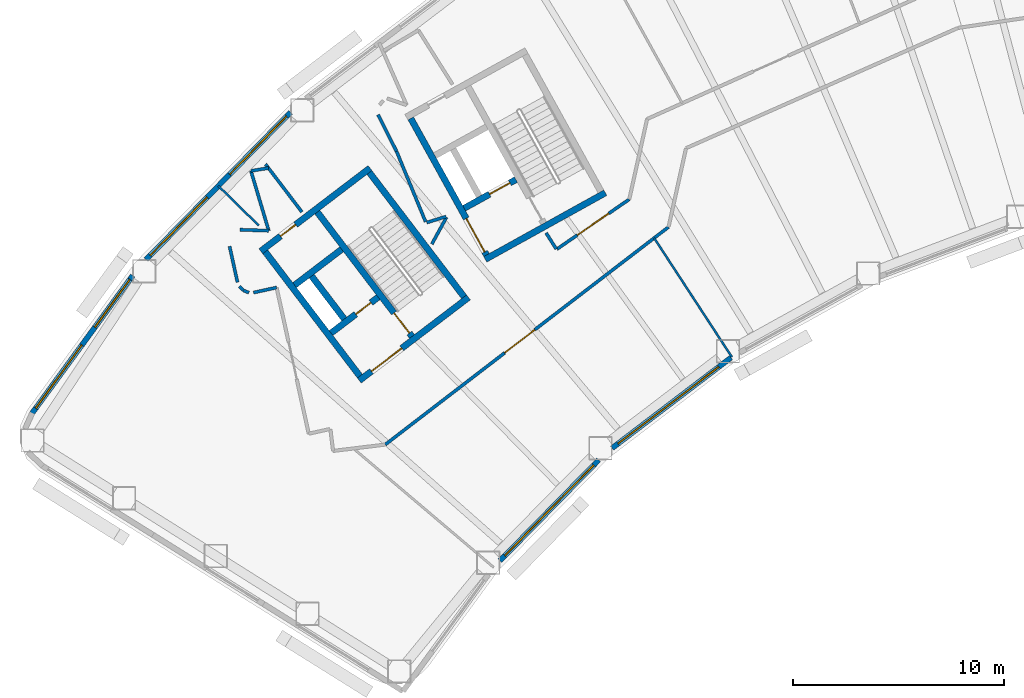
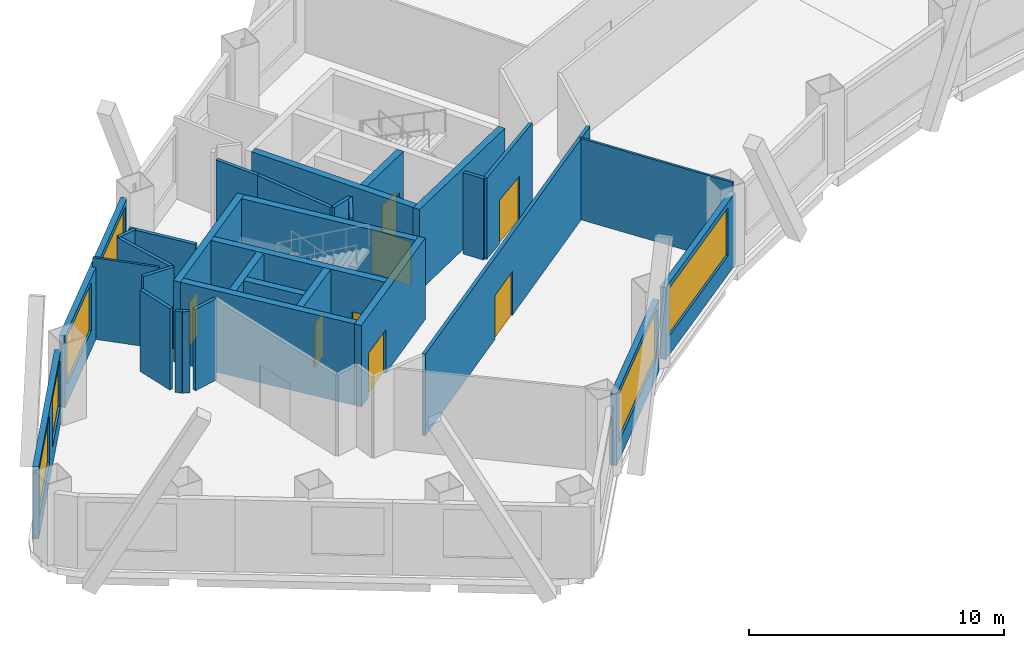
# One storey, part 3 of 11: 32 walls, 8 doors, 6 windows, 14 openings.
"""IFC4 building model written with IfcOpenShell, lengths in metres."""

from ifc_helpers import new_model, si_unit, direction, frame, frame_2d, origin, place, context, subcontext, project, spatial, rectangle, extrude, material, layer, layer_set, type_object, element, fill, save


model = new_model("IFC4")

# Units and contexts
model_context = context("Model", 3, precision=1e-05, world=origin(), true_north=direction((0.0, 1.0)))
body_context = subcontext(model_context, "Body", "Model", "MODEL_VIEW")
ifc_project = project(units=[si_unit("LENGTHUNIT", "METRE"), si_unit("AREAUNIT", "SQUARE_METRE"), si_unit("VOLUMEUNIT", "CUBIC_METRE"), si_unit("PLANEANGLEUNIT", "RADIAN"), si_unit("MASSUNIT", "GRAM", prefix="KILO")], contexts=[model_context])

# Site, building, storey
site_placement = place(None, origin())
site = spatial("IfcSite", under=ifc_project, at=site_placement, CompositionType="ELEMENT")
building_placement = place(site_placement, origin())
building = spatial("IfcBuilding", under=site, at=building_placement, Name="Tuul Gate Civic Tower", CompositionType="ELEMENT")
storey_placement = place(building_placement, frame((0.0, 0.0, 116.10009765625)))
storey = spatial("IfcBuildingStorey", under=building, at=storey_placement, Name="Level 26", CompositionType="ELEMENT", Elevation=116.10009765625)

# Wall, opening, door
ifc_material_1 = material(Name="Concrete C50/60", Category="concrete")
ifc_layer_1 = layer(ifc_material_1, 0.300048828125)
ifc_layer_set_1 = layer_set([ifc_layer_1], Name="Concrete C50/60")
wall_type_1 = type_object("IfcWallType", Name="Core wall C50/60", PredefinedType="SHEAR", material=ifc_layer_set_1)
wall_1_placement = place(storey_placement, frame((-31.19091796875, -13.669677734375, 0.0), z_axis=(0.0, 0.0, 1.0), x_axis=(-0.795606717756, -0.605813461934, 0.0)))
wall_1 = element("IfcWall", 1, at=wall_1_placement, inside=storey, type_object=wall_type_1, Name="Core wall", PredefinedType="SHEAR", context=body_context, shape_type="SweptSolid", body=[
    extrude(rectangle(XDim=6.5, YDim=0.300048828125, at=frame_2d((3.25, 0.0))), origin(), (0.0, 0.0, 1.0), 3.89990234375),
])
opening_1_placement = place(wall_1_placement, frame((3.97509765625, 0.0, 0.0)))
opening_1 = element("IfcOpeningElement", 2, at=opening_1_placement, cuts=wall_1, Name="Opening LB-W1-LOBBY-1", PredefinedType="OPENING", context=body_context, shape_type="SweptSolid", body=[
    extrude(rectangle(XDim=1.800048828125, YDim=2.10009765625, at=frame_2d((0.89990234375, 1.050048828125))), frame((0.0, 0.16015625, 0.0), z_axis=(0.0, -1.0, 0.0), x_axis=(1.0, 0.0, 0.0)), (0.0, 0.0, 1.0), 0.320068359375),
])
ifc_material_2 = material(Name="Steel", Category="steel")
door_type_1 = type_object("IfcDoorType", Name="Lobby door", OperationType="DOUBLE_DOOR_SINGLE_SWING", PredefinedType="DOOR", material=ifc_material_2)
door_1_placement = place(opening_1_placement, origin())
door_1 = element("IfcDoor", 3, at=door_1_placement, inside=storey, type_object=door_type_1, Name="Lobby door W1-LOBBY", OperationType="DOUBLE_DOOR_SINGLE_SWING", OverallHeight=2.10009765625, OverallWidth=1.800048828125, PredefinedType="DOOR", context=body_context, shape_type="SweptSolid", body=[
    extrude(rectangle(XDim=1.800048828125, YDim=2.10009765625, at=frame_2d((0.89990234375, 1.050048828125))), frame((0.0, 0.02490234375, 0.0), z_axis=(0.0, -1.0, 0.0), x_axis=(1.0, 0.0, 0.0)), (0.0, 0.0, 1.0), 0.050048828125),
])
fill(opening_1, door_1)

wall_2_placement = place(storey_placement, frame((-35.470947265625, -13.66064453125, 0.0), z_axis=(0.0, 0.0, 1.0), x_axis=(-0.795615822227, -0.605801504968, 0.0)))
wall_2 = element("IfcWall", 4, at=wall_2_placement, inside=storey, type_object=wall_type_1, Name="Core wall", PredefinedType="SHEAR", context=body_context, shape_type="SweptSolid", body=[
    extrude(rectangle(XDim=2.800048828125, YDim=0.300048828125, at=frame_2d((1.39990234375, 0.0))), origin(), (0.0, 0.0, 1.0), 3.89990234375),
])
opening_2_placement = place(wall_2_placement, frame((0.425048828125, 0.0, 0.0)))
opening_2 = element("IfcOpeningElement", 5, at=opening_2_placement, cuts=wall_2, Name="Opening FB-W1A1", PredefinedType="OPENING", context=body_context, shape_type="SweptSolid", body=[
    extrude(rectangle(XDim=0.89990234375, YDim=2.10009765625, at=frame_2d((0.449951171875, 1.050048828125))), frame((0.0, 0.16015625, 0.0), z_axis=(0.0, -1.0, 0.0), x_axis=(1.0, 0.0, 0.0)), (0.0, 0.0, 1.0), 0.320068359375),
])
ifc_material_3 = material(Name="Steel", Category="steel")
door_type_2 = type_object("IfcDoorType", Name="Store door", OperationType="NOTDEFINED", PredefinedType="DOOR", material=ifc_material_3)
door_2_placement = place(opening_2_placement, frame((0.89990234375, 0.0, 0.0), z_axis=(0.0, 0.0, 1.0), x_axis=(-1.0, 0.0, 0.0)))
door_2 = element("IfcDoor", 6, at=door_2_placement, inside=storey, type_object=door_type_2, Name="Store door W1A1", OperationType="SINGLE_SWING_RIGHT", OverallHeight=2.10009765625, OverallWidth=0.89990234375, PredefinedType="DOOR", context=body_context, shape_type="SweptSolid", body=[
    extrude(rectangle(XDim=0.89990234375, YDim=2.10009765625, at=frame_2d((0.449951171875, 1.050048828125))), frame((0.0, 0.02490234375, 0.0), z_axis=(0.0, -1.0, 0.0), x_axis=(1.0, 0.0, 0.0)), (0.0, 0.0, 1.0), 0.050048828125),
])
fill(opening_2, door_2)

# Wall
wall_3_placement = place(storey_placement, frame((-37.197509765625, -11.39306640625, 0.0), z_axis=(0.0, 0.0, 1.0), x_axis=(-0.795583820278, -0.605843531707, 0.0)))
element("IfcWall", 7, at=wall_3_placement, inside=storey, type_object=wall_type_1, Name="Core wall", PredefinedType="SHEAR", context=body_context, shape_type="SweptSolid", body=[
    extrude(rectangle(XDim=2.7998046875, YDim=0.300048828125, at=frame_2d((1.39990234375, 0.0))), origin(), (0.0, 0.0, 1.0), 3.89990234375),
])

# Wall, opening, door
wall_4_placement = place(storey_placement, frame((-35.855224609375, -7.543212890625, 0.0), z_axis=(0.0, 0.0, 1.0), x_axis=(-0.79563860527, -0.605771582202, 0.0)))
wall_4 = element("IfcWall", 8, at=wall_4_placement, inside=storey, type_object=wall_type_1, Name="Core wall", PredefinedType="SHEAR", context=body_context, shape_type="SweptSolid", body=[
    extrude(rectangle(XDim=6.5, YDim=0.300048828125, at=frame_2d((3.25, 0.0))), origin(), (0.0, 0.0, 1.0), 3.89990234375),
])
opening_3_placement = place(wall_4_placement, frame((4.425048828125, 0.0, 0.0)))
opening_3 = element("IfcOpeningElement", 9, at=opening_3_placement, cuts=wall_4, Name="Opening H-D17", PredefinedType="OPENING", context=body_context, shape_type="SweptSolid", body=[
    extrude(rectangle(XDim=0.89990234375, YDim=2.10009765625, at=frame_2d((0.449951171875, 1.050048828125))), frame((0.0, 0.16015625, 0.0), z_axis=(0.0, -1.0, 0.0), x_axis=(1.0, 0.0, 0.0)), (0.0, 0.0, 1.0), 0.320068359375),
])
ifc_material_4 = material(Name="Timber door leaf", Category="wood")
door_type_3 = type_object("IfcDoorType", Name="Door D09", OperationType="NOTDEFINED", PredefinedType="DOOR", material=ifc_material_4)
door_3_placement = place(opening_3_placement, origin())
door_3 = element("IfcDoor", 10, at=door_3_placement, inside=storey, type_object=door_type_3, Name="Door H-D17", OperationType="SINGLE_SWING_LEFT", OverallHeight=2.10009765625, OverallWidth=0.89990234375, PredefinedType="DOOR", context=body_context, shape_type="SweptSolid", body=[
    extrude(rectangle(XDim=0.89990234375, YDim=2.10009765625, at=frame_2d((0.449951171875, 1.050048828125))), frame((0.0, 0.02490234375, 0.0), z_axis=(0.0, -1.0, 0.0), x_axis=(1.0, 0.0, 0.0)), (0.0, 0.0, 1.0), 0.050048828125),
])
fill(opening_3, door_3)

# Wall
wall_5_placement = place(storey_placement, frame((-31.401123046875, -13.64111328125, 0.0), z_axis=(0.0, 0.0, 1.0), x_axis=(-0.605769822278, 0.795639945213, 0.0)))
element("IfcWall", 11, at=wall_5_placement, inside=storey, type_object=wall_type_1, Name="Core wall", PredefinedType="SHEAR", context=body_context, shape_type="SweptSolid", body=[
    extrude(rectangle(XDim=7.39990234375, YDim=0.300048828125, at=frame_2d((3.699951171875, 0.0))), origin(), (0.0, 0.0, 1.0), 3.89990234375),
])

# Wall, opening, door
wall_6_placement = place(storey_placement, frame((-33.867431640625, -15.51904296875, 0.0), z_axis=(0.0, 0.0, 1.0), x_axis=(-0.605769822278, 0.795639945213, 0.0)))
wall_6 = element("IfcWall", 12, at=wall_6_placement, inside=storey, type_object=wall_type_1, Name="Core wall", PredefinedType="SHEAR", context=body_context, shape_type="SweptSolid", body=[
    extrude(rectangle(XDim=7.39990234375, YDim=0.300048828125, at=frame_2d((3.699951171875, 0.0))), origin(), (0.0, 0.0, 1.0), 3.89990234375),
])
opening_4_placement = place(wall_6_placement, frame((0.199951171875, 0.0, 0.0)))
opening_4 = element("IfcOpeningElement", 13, at=opening_4_placement, cuts=wall_6, Name="Opening SD-ST-1", PredefinedType="OPENING", context=body_context, shape_type="SweptSolid", body=[
    extrude(rectangle(XDim=1.199951171875, YDim=2.10009765625, at=frame_2d((0.60009765625, 1.050048828125))), frame((0.0, 0.16015625, 0.0), z_axis=(0.0, -1.0, 0.0), x_axis=(1.0, 0.0, 0.0)), (0.0, 0.0, 1.0), 0.320068359375),
])
ifc_material_5 = material(Name="Steel", Category="steel")
door_type_4 = type_object("IfcDoorType", Name="Stair door", OperationType="NOTDEFINED", PredefinedType="DOOR", material=ifc_material_5)
door_4_placement = place(opening_4_placement, origin())
door_4 = element("IfcDoor", 14, at=door_4_placement, inside=storey, type_object=door_type_4, Name="Stair door ST-1", OperationType="SINGLE_SWING_LEFT", OverallHeight=2.10009765625, OverallWidth=1.199951171875, PredefinedType="DOOR", context=body_context, shape_type="SweptSolid", body=[
    extrude(rectangle(XDim=1.199951171875, YDim=2.10009765625, at=frame_2d((0.60009765625, 1.050048828125))), frame((0.0, 0.02490234375, 0.0), z_axis=(0.0, -1.0, 0.0), x_axis=(1.0, 0.0, 0.0)), (0.0, 0.0, 1.0), 0.050048828125),
])
fill(opening_4, door_4)

# Walls
wall_7_placement = place(storey_placement, frame((-37.073486328125, -14.6923828125, 0.0), z_axis=(0.0, 0.0, 1.0), x_axis=(-0.605728760074, 0.79567120673, 0.0)))
element("IfcWall", 15, at=wall_7_placement, inside=storey, type_object=wall_type_1, Name="Core wall", PredefinedType="SHEAR", context=body_context, shape_type="SweptSolid", body=[
    extrude(rectangle(XDim=2.550048828125, YDim=0.300048828125, at=frame_2d((1.27490234375, 0.0))), origin(), (0.0, 0.0, 1.0), 3.89990234375),
])
wall_8_placement = place(storey_placement, frame((-36.333984375, -17.397216796875, 0.0), z_axis=(0.0, 0.0, 1.0), x_axis=(-0.605753921168, 0.795652051458, 0.0)))
element("IfcWall", 16, at=wall_8_placement, inside=storey, type_object=wall_type_1, Name="Core wall", PredefinedType="SHEAR", context=body_context, shape_type="SweptSolid", body=[
    extrude(rectangle(XDim=7.400146484375, YDim=0.300048828125, at=frame_2d((3.7001953125, 0.0))), origin(), (0.0, 0.0, 1.0), 3.89990234375),
])
wall_9_placement = place(storey_placement, frame((-24.711669921875, -8.7158203125, 0.0), z_axis=(0.0, 0.0, 1.0), x_axis=(-0.874629909008, -0.484791215132, 0.0)))
element("IfcWall", 17, at=wall_9_placement, inside=storey, type_object=wall_type_1, Name="Core wall", PredefinedType="SHEAR", context=body_context, shape_type="SweptSolid", body=[
    extrude(rectangle(XDim=6.5, YDim=0.300048828125, at=frame_2d((3.25, 0.0))), origin(), (0.0, 0.0, 1.0), 3.89990234375),
])

# Wall, opening, door
wall_10_placement = place(storey_placement, frame((-28.94580078125, -8.090087890625, 0.0), z_axis=(0.0, 0.0, 1.0), x_axis=(-0.874629840737, -0.484791338301, 0.0)))
wall_10 = element("IfcWall", 18, at=wall_10_placement, inside=storey, type_object=wall_type_1, Name="Core wall", PredefinedType="SHEAR", context=body_context, shape_type="SweptSolid", body=[
    extrude(rectangle(XDim=2.800048828125, YDim=0.300048828125, at=frame_2d((1.39990234375, 0.0))), origin(), (0.0, 0.0, 1.0), 3.89990234375),
])
opening_5_placement = place(wall_10_placement, frame((0.324951171875, 0.0, 0.0)))
opening_5 = element("IfcOpeningElement", 19, at=opening_5_placement, cuts=wall_10, Name="Opening LD-FF-1", PredefinedType="OPENING", context=body_context, shape_type="SweptSolid", body=[
    extrude(rectangle(XDim=1.10009765625, YDim=2.10009765625, at=frame_2d((0.550048828125, 1.050048828125))), frame((0.0, 0.16015625, 0.0), z_axis=(0.0, -1.0, 0.0), x_axis=(1.0, 0.0, 0.0)), (0.0, 0.0, 1.0), 0.320068359375),
])
ifc_material_6 = material(Name="Stainless steel", Category="steel")
door_type_5 = type_object("IfcDoorType", Name="Landing door", OperationType="DOUBLE_DOOR_SLIDING", PredefinedType="DOOR", material=ifc_material_6)
door_5_placement = place(opening_5_placement, origin())
door_5 = element("IfcDoor", 20, at=door_5_placement, inside=storey, type_object=door_type_5, Name="Fire-fighting lift FF-1 landing door", OperationType="DOUBLE_DOOR_SLIDING", OverallHeight=2.10009765625, OverallWidth=1.10009765625, PredefinedType="DOOR", context=body_context, shape_type="SweptSolid", body=[
    extrude(rectangle(XDim=1.10009765625, YDim=2.10009765625, at=frame_2d((0.550048828125, 1.050048828125))), frame((0.0, 0.02490234375, 0.0), z_axis=(0.0, -1.0, 0.0), x_axis=(1.0, 0.0, 0.0)), (0.0, 0.0, 1.0), 0.050048828125),
])
fill(opening_5, door_5)

wall_11_placement = place(storey_placement, frame((-30.33837890625, -11.6630859375, 0.0), z_axis=(0.0, 0.0, 1.0), x_axis=(-0.484751894226, 0.874651702704, 0.0)))
wall_11 = element("IfcWall", 21, at=wall_11_placement, inside=storey, type_object=wall_type_1, Name="Core wall", PredefinedType="SHEAR", context=body_context, shape_type="SweptSolid", body=[
    extrude(rectangle(XDim=7.39990234375, YDim=0.300048828125, at=frame_2d((3.699951171875, 0.0))), origin(), (0.0, 0.0, 1.0), 3.89990234375),
])
opening_6_placement = place(wall_11_placement, frame((0.175048828125, 0.0, 0.0)))
opening_6 = element("IfcOpeningElement", 22, at=opening_6_placement, cuts=wall_11, Name="Opening LB-W2-FLOBBY-1", PredefinedType="OPENING", context=body_context, shape_type="SweptSolid", body=[
    extrude(rectangle(XDim=1.800048828125, YDim=2.10009765625, at=frame_2d((0.89990234375, 1.050048828125))), frame((0.0, 0.16015625, 0.0), z_axis=(0.0, -1.0, 0.0), x_axis=(1.0, 0.0, 0.0)), (0.0, 0.0, 1.0), 0.320068359375),
])
door_6_placement = place(opening_6_placement, frame((1.800048828125, 0.0, 0.0), z_axis=(0.0, 0.0, 1.0), x_axis=(-1.0, 0.0, 0.0)))
door_6 = element("IfcDoor", 23, at=door_6_placement, inside=storey, type_object=door_type_1, Name="Lobby door W2-FLOBBY", OperationType="DOUBLE_DOOR_SINGLE_SWING", OverallHeight=2.10009765625, OverallWidth=1.800048828125, PredefinedType="DOOR", context=body_context, shape_type="SweptSolid", body=[
    extrude(rectangle(XDim=1.800048828125, YDim=2.10009765625, at=frame_2d((0.900146484375, 1.050048828125))), frame((0.0, 0.02490234375, 0.0), z_axis=(0.0, -1.0, 0.0), x_axis=(1.0, 0.0, 0.0)), (0.0, 0.0, 1.0), 0.050048828125),
])
fill(opening_6, door_6)

ifc_material_7 = material(Name="Gypsum board partition")
ifc_layer_2 = layer(ifc_material_7, 0.14990234375)
ifc_layer_set_2 = layer_set([ifc_layer_2], Name="Gypsum board partition")
wall_type_2 = type_object("IfcWallType", Name="Corridor wall P150", PredefinedType="PARTITIONING", material=ifc_layer_set_2)
wall_12_placement = place(storey_placement, frame((-27.004638671875, -11.3837890625, 0.0), z_axis=(0.0, 0.0, 1.0), x_axis=(0.823611795326, 0.567153956699, 0.0)))
wall_12 = element("IfcWall", 24, at=wall_12_placement, inside=storey, type_object=wall_type_2, Name="p029", PredefinedType="PARTITIONING", context=body_context, shape_type="SweptSolid", body=[
    extrude(rectangle(XDim=4.1591796875, YDim=0.14990234375, at=frame_2d((2.07958984375, 0.0))), origin(), (0.0, 0.0, 1.0), 3.89990234375),
])
opening_7_placement = place(wall_12_placement, frame((1.1796875, 0.0, 0.0)))
opening_7 = element("IfcOpeningElement", 25, at=opening_7_placement, cuts=wall_12, Name="Opening H-D09", PredefinedType="OPENING", context=body_context, shape_type="SweptSolid", body=[
    extrude(rectangle(XDim=1.800048828125, YDim=2.10009765625, at=frame_2d((0.89990234375, 1.050048828125))), frame((0.0, 0.0849609375, 0.0), z_axis=(0.0, -1.0, 0.0), x_axis=(1.0, 0.0, 0.0)), (0.0, 0.0, 1.0), 0.169921875),
])
ifc_material_8 = material(Name="Timber door leaf, double", Category="wood")
door_type_6 = type_object("IfcDoorType", Name="Door D18", OperationType="DOUBLE_DOOR_SINGLE_SWING", PredefinedType="DOOR", material=ifc_material_8)
door_7_placement = place(opening_7_placement, frame((1.800048828125, 0.0, 0.0), z_axis=(0.0, 0.0, 1.0), x_axis=(-1.0, 0.0, 0.0)))
door_7 = element("IfcDoor", 26, at=door_7_placement, inside=storey, type_object=door_type_6, Name="Door H-D09", OperationType="DOUBLE_DOOR_SINGLE_SWING", OverallHeight=2.10009765625, OverallWidth=1.800048828125, PredefinedType="DOOR", context=body_context, shape_type="SweptSolid", body=[
    extrude(rectangle(XDim=1.800048828125, YDim=2.10009765625, at=frame_2d((0.900146484375, 1.050048828125))), frame((0.0, 0.02490234375, 0.0), z_axis=(0.0, -1.0, 0.0), x_axis=(1.0, 0.0, 0.0)), (0.0, 0.0, 1.0), 0.050048828125),
])
fill(opening_7, door_7)

# Walls
wall_13_placement = place(storey_placement, frame((-27.515625, -10.613037109375, 0.0), z_axis=(0.0, 0.0, 1.0), x_axis=(0.533078253111, -0.846065940728, 0.0)))
element("IfcWall", 27, at=wall_13_placement, inside=storey, type_object=wall_type_2, Name="p031", PredefinedType="PARTITIONING", context=body_context, shape_type="SweptSolid", body=[
    extrude(rectangle(XDim=0.904052734375, YDim=0.14990234375, at=frame_2d((0.4521484375, 0.0))), origin(), (0.0, 0.0, 1.0), 3.89990234375),
])
wall_14_placement = place(storey_placement, frame((-35.477294921875, -5.01611328125, 0.0), z_axis=(0.0, 0.0, 1.0), x_axis=(0.452429691742, -0.891800075146, 0.0)))
element("IfcWall", 28, at=wall_14_placement, inside=storey, type_object=wall_type_2, Name="p036", PredefinedType="PARTITIONING", context=body_context, shape_type="SweptSolid", body=[
    extrude(rectangle(XDim=1.9443359375, YDim=0.14990234375, at=frame_2d((0.97216796875, 0.0))), origin(), (0.0, 0.0, 1.0), 3.89990234375),
])
wall_15_placement = place(storey_placement, frame((-34.59765625, -6.75, 0.0), z_axis=(0.0, 0.0, 1.0), x_axis=(0.381059292189, -0.924550602096, 0.0)))
element("IfcWall", 29, at=wall_15_placement, inside=storey, type_object=wall_type_2, Name="p038", PredefinedType="PARTITIONING", context=body_context, shape_type="SweptSolid", body=[
    extrude(rectangle(XDim=3.6103515625, YDim=0.14990234375, at=frame_2d((1.80517578125, 0.0))), origin(), (0.0, 0.0, 1.0), 3.89990234375),
])
wall_16_placement = place(storey_placement, frame((-33.16357421875, -10.122314453125, 0.0), z_axis=(0.0, 0.0, 1.0), x_axis=(0.955346142768, 0.295488997254, 0.0)))
element("IfcWall", 30, at=wall_16_placement, inside=storey, type_object=wall_type_2, Name="p039", PredefinedType="PARTITIONING", context=body_context, shape_type="SweptSolid", body=[
    extrude(rectangle(XDim=0.953369140625, YDim=0.14990234375, at=frame_2d((0.4765625, 0.0))), origin(), (0.0, 0.0, 1.0), 3.89990234375),
])
wall_17_placement = place(storey_placement, frame((-32.92578125, -11.143310546875, 0.0), z_axis=(0.0, 0.0, 1.0), x_axis=(0.47973548541, 0.877413166096, 0.0)))
element("IfcWall", 31, at=wall_17_placement, inside=storey, type_object=wall_type_2, Name="p040", PredefinedType="PARTITIONING", context=body_context, shape_type="SweptSolid", body=[
    extrude(rectangle(XDim=1.451904296875, YDim=0.14990234375, at=frame_2d((0.72607421875, 0.0))), origin(), (0.0, 0.0, 1.0), 3.89990234375),
])
wall_18_placement = place(storey_placement, frame((-40.8037109375, -7.359130859375, 0.0), z_axis=(0.0, 0.0, 1.0), x_axis=(0.605725078966, -0.795674009071, 0.0)))
element("IfcWall", 32, at=wall_18_placement, inside=storey, type_object=wall_type_2, Name="p041", PredefinedType="PARTITIONING", context=body_context, shape_type="SweptSolid", body=[
    extrude(rectangle(XDim=2.84423828125, YDim=0.14990234375, at=frame_2d((1.422119140625, 0.0))), origin(), (0.0, 0.0, 1.0), 3.89990234375),
])
wall_19_placement = place(storey_placement, frame((-41.4931640625, -7.67822265625, 0.0), z_axis=(0.0, 0.0, 1.0), x_axis=(0.986914959922, 0.161241625775, 0.0)))
element("IfcWall", 33, at=wall_19_placement, inside=storey, type_object=wall_type_2, Name="p042", PredefinedType="PARTITIONING", context=body_context, shape_type="SweptSolid", body=[
    extrude(rectangle(XDim=0.84033203125, YDim=0.14990234375, at=frame_2d((0.420166015625, 0.0))), origin(), (0.0, 0.0, 1.0), 3.89990234375),
])
wall_20_placement = place(storey_placement, frame((-41.4931640625, -7.67822265625, 0.0), z_axis=(0.0, 0.0, 1.0), x_axis=(0.285339395908, -0.958426538209, 0.0)))
element("IfcWall", 34, at=wall_20_placement, inside=storey, type_object=wall_type_2, Name="p043", PredefinedType="PARTITIONING", context=body_context, shape_type="SweptSolid", body=[
    extrude(rectangle(XDim=2.9560546875, YDim=0.14990234375, at=frame_2d((1.47802734375, 0.0))), origin(), (0.0, 0.0, 1.0), 3.89990234375),
])
wall_21_placement = place(storey_placement, frame((-42.003173828125, -10.4638671875, 0.0), z_axis=(0.0, 0.0, 1.0), x_axis=(0.999381997764, -0.035151423082, 0.0)))
element("IfcWall", 35, at=wall_21_placement, inside=storey, type_object=wall_type_2, Name="p045", PredefinedType="PARTITIONING", context=body_context, shape_type="SweptSolid", body=[
    extrude(rectangle(XDim=1.354248046875, YDim=0.14990234375, at=frame_2d((0.67724609375, 0.0))), origin(), (0.0, 0.0, 1.0), 3.89990234375),
])
wall_22_placement = place(storey_placement, frame((-42.505126953125, -11.248779296875, 0.0), z_axis=(0.0, 0.0, 1.0), x_axis=(0.214674657513, -0.976685615447, 0.0)))
element("IfcWall", 36, at=wall_22_placement, inside=storey, type_object=wall_type_2, Name="p047", PredefinedType="PARTITIONING", context=body_context, shape_type="SweptSolid", body=[
    extrude(rectangle(XDim=1.7421875, YDim=0.14990234375, at=frame_2d((0.87109375, 0.0))), origin(), (0.0, 0.0, 1.0), 3.89990234375),
])
wall_23_placement = place(storey_placement, frame((-42.047607421875, -13.14404296875, 0.0), z_axis=(0.0, 0.0, 1.0), x_axis=(0.714510426493, -0.699624792608, 0.0)))
element("IfcWall", 37, at=wall_23_placement, inside=storey, type_object=wall_type_2, Name="p048", PredefinedType="PARTITIONING", context=body_context, shape_type="SweptSolid", body=[
    extrude(rectangle(XDim=0.27880859375, YDim=0.14990234375, at=frame_2d((0.139404296875, 0.0))), origin(), (0.0, 0.0, 1.0), 3.89990234375),
])
wall_24_placement = place(storey_placement, frame((-41.848388671875, -13.339111328125, 0.0), z_axis=(0.0, 0.0, 1.0), x_axis=(0.927514396304, -0.373787432438, 0.0)))
element("IfcWall", 38, at=wall_24_placement, inside=storey, type_object=wall_type_2, Name="p049", PredefinedType="PARTITIONING", context=body_context, shape_type="SweptSolid", body=[
    extrude(rectangle(XDim=0.28076171875, YDim=0.14990234375, at=frame_2d((0.140380859375, 0.0))), origin(), (0.0, 0.0, 1.0), 3.89990234375),
])
wall_25_placement = place(storey_placement, frame((-41.370361328125, -13.44140625, 0.0), z_axis=(0.0, 0.0, 1.0), x_axis=(0.976662802871, 0.214778419513, 0.0)))
element("IfcWall", 39, at=wall_25_placement, inside=storey, type_object=wall_type_2, Name="p050", PredefinedType="PARTITIONING", context=body_context, shape_type="SweptSolid", body=[
    extrude(rectangle(XDim=1.117431640625, YDim=0.14990234375, at=frame_2d((0.55859375, 0.0))), origin(), (0.0, 0.0, 1.0), 3.89990234375),
])

# Wall, opening, door
wall_26_placement = place(storey_placement, frame((-35.131103515625, -20.638671875, 0.0), z_axis=(0.0, 0.0, 1.0), x_axis=(0.793050354542, 0.6091560844, 0.0)))
wall_26 = element("IfcWall", 40, at=wall_26_placement, inside=storey, type_object=wall_type_2, Name="p070", PredefinedType="PARTITIONING", context=body_context, shape_type="SweptSolid", body=[
    extrude(rectangle(XDim=16.9150390625, YDim=0.14990234375, at=frame_2d((8.45751953125, 0.0))), origin(), (0.0, 0.0, 1.0), 3.89990234375),
])
opening_8_placement = place(wall_26_placement, frame((7.128173828125, 0.0, 0.0)))
opening_8 = element("IfcOpeningElement", 41, at=opening_8_placement, cuts=wall_26, Name="Opening H-D13", PredefinedType="OPENING", context=body_context, shape_type="SweptSolid", body=[
    extrude(rectangle(XDim=1.800048828125, YDim=2.10009765625, at=frame_2d((0.89990234375, 1.050048828125))), frame((0.0, 0.0849609375, 0.0), z_axis=(0.0, -1.0, 0.0), x_axis=(1.0, 0.0, 0.0)), (0.0, 0.0, 1.0), 0.169921875),
])
door_8_placement = place(opening_8_placement, frame((1.800048828125, 0.0, 0.0), z_axis=(0.0, 0.0, 1.0), x_axis=(-1.0, 0.0, 0.0)))
door_8 = element("IfcDoor", 42, at=door_8_placement, inside=storey, type_object=door_type_6, Name="Door H-D13", OperationType="DOUBLE_DOOR_SINGLE_SWING", OverallHeight=2.10009765625, OverallWidth=1.800048828125, PredefinedType="DOOR", context=body_context, shape_type="SweptSolid", body=[
    extrude(rectangle(XDim=1.800048828125, YDim=2.10009765625, at=frame_2d((0.900146484375, 1.050048828125))), frame((0.0, 0.02490234375, 0.0), z_axis=(0.0, -1.0, 0.0), x_axis=(1.0, 0.0, 0.0)), (0.0, 0.0, 1.0), 0.050048828125),
])
fill(opening_8, door_8)

# Wall, openings, windows
ifc_material_9 = material(Name="Precast concrete C40/50", Category="concrete")
ifc_layer_3 = layer(ifc_material_9, 0.25)
ifc_layer_set_3 = layer_set([ifc_layer_3], Name="Precast concrete C40/50")
wall_type_3 = type_object("IfcWallType", Name="External wall", PredefinedType="STANDARD", material=ifc_layer_set_3)
wall_27_placement = place(storey_placement, frame((-39.618896484375, -4.901611328125, 0.0), z_axis=(0.0, 0.0, 1.0), x_axis=(-0.699999704783, -0.714143132224, 0.0)))
wall_27 = element("IfcWall", 43, at=wall_27_placement, inside=storey, type_object=wall_type_3, Name="External wall", PredefinedType="STANDARD", context=body_context, shape_type="SweptSolid", body=[
    extrude(rectangle(XDim=9.770263671875, YDim=0.25, at=frame_2d((4.88525390625, 0.0))), origin(), (0.0, 0.0, 1.0), 3.449951171875),
])
opening_9_placement = place(wall_27_placement, frame((0.273193359375, 0.0, 0.89990234375)))
opening_9 = element("IfcOpeningElement", 44, at=opening_9_placement, cuts=wall_27, Name="Opening W22", PredefinedType="OPENING", context=body_context, shape_type="SweptSolid", body=[
    extrude(rectangle(XDim=3.85009765625, YDim=2.300048828125, at=frame_2d((1.925048828125, 1.14990234375))), frame((0.0, 0.135009765625, 0.0), z_axis=(0.0, -1.0, 0.0), x_axis=(1.0, 0.0, 0.0)), (0.0, 0.0, 1.0), 0.27001953125),
])
opening_10_placement = place(wall_27_placement, frame((5.64453125, 0.0, 0.89990234375)))
opening_10 = element("IfcOpeningElement", 45, at=opening_10_placement, cuts=wall_27, Name="Opening W22", PredefinedType="OPENING", context=body_context, shape_type="SweptSolid", body=[
    extrude(rectangle(XDim=3.85009765625, YDim=2.300048828125, at=frame_2d((1.925048828125, 1.14990234375))), frame((0.0, 0.135009765625, 0.0), z_axis=(0.0, -1.0, 0.0), x_axis=(1.0, 0.0, 0.0)), (0.0, 0.0, 1.0), 0.27001953125),
])
ifc_material_10 = material(Name="Glass", Category="glass")
window_type_1 = type_object("IfcWindowType", Name="Window W22 3850 x 2300", PartitioningType="SINGLE_PANEL", PredefinedType="WINDOW", material=ifc_material_10)
window_1_placement = place(opening_9_placement, origin())
window_1 = element("IfcWindow", 46, at=window_1_placement, inside=storey, type_object=window_type_1, Name="Window", OverallHeight=2.300048828125, OverallWidth=3.85009765625, PartitioningType="SINGLE_PANEL", PredefinedType="WINDOW", context=body_context, shape_type="SweptSolid", body=[
    extrude(rectangle(XDim=3.85009765625, YDim=2.300048828125, at=frame_2d((1.925048828125, 1.14990234375))), frame((0.0, 0.030029296875, 0.0), z_axis=(0.0, -1.0, 0.0), x_axis=(1.0, 0.0, 0.0)), (0.0, 0.0, 1.0), 0.06005859375),
])
fill(opening_9, window_1)
window_2_placement = place(opening_10_placement, origin())
window_2 = element("IfcWindow", 47, at=window_2_placement, inside=storey, type_object=window_type_1, Name="Window", OverallHeight=2.300048828125, OverallWidth=3.85009765625, PartitioningType="SINGLE_PANEL", PredefinedType="WINDOW", context=body_context, shape_type="SweptSolid", body=[
    extrude(rectangle(XDim=3.85009765625, YDim=2.300048828125, at=frame_2d((1.925048828125, 1.14990234375))), frame((0.0, 0.030029296875, 0.0), z_axis=(0.0, -1.0, 0.0), x_axis=(1.0, 0.0, 0.0)), (0.0, 0.0, 1.0), 0.06005859375),
])
fill(opening_10, window_2)

wall_28_placement = place(storey_placement, frame((-47.093017578125, -12.6318359375, 0.0), z_axis=(0.0, 0.0, 1.0), x_axis=(-0.589890871529, -0.807482977955, 0.0)))
wall_28 = element("IfcWall", 48, at=wall_28_placement, inside=storey, type_object=wall_type_3, Name="External wall", PredefinedType="STANDARD", context=body_context, shape_type="SweptSolid", body=[
    extrude(rectangle(XDim=8.0830078125, YDim=0.25, at=frame_2d((4.04150390625, 0.0))), origin(), (0.0, 0.0, 1.0), 3.449951171875),
])
opening_11_placement = place(wall_28_placement, frame((0.23046875, 0.0, 0.89990234375)))
opening_11 = element("IfcOpeningElement", 49, at=opening_11_placement, cuts=wall_28, Name="Opening W23", PredefinedType="OPENING", context=body_context, shape_type="SweptSolid", body=[
    extrude(rectangle(XDim=2.800048828125, YDim=2.300048828125, at=frame_2d((1.39990234375, 1.14990234375))), frame((0.0, 0.135009765625, 0.0), z_axis=(0.0, -1.0, 0.0), x_axis=(1.0, 0.0, 0.0)), (0.0, 0.0, 1.0), 0.27001953125),
])
opening_12_placement = place(wall_28_placement, frame((4.08203125, 0.0, 0.89990234375)))
opening_12 = element("IfcOpeningElement", 50, at=opening_12_placement, cuts=wall_28, Name="Opening W21", PredefinedType="OPENING", context=body_context, shape_type="SweptSolid", body=[
    extrude(rectangle(XDim=3.699951171875, YDim=2.300048828125, at=frame_2d((1.85009765625, 1.14990234375))), frame((0.0, 0.135009765625, 0.0), z_axis=(0.0, -1.0, 0.0), x_axis=(1.0, 0.0, 0.0)), (0.0, 0.0, 1.0), 0.27001953125),
])
ifc_material_11 = material(Name="Glass", Category="glass")
window_type_2 = type_object("IfcWindowType", Name="Window W21 3700 x 2300", PartitioningType="SINGLE_PANEL", PredefinedType="WINDOW", material=ifc_material_11)
window_3_placement = place(opening_12_placement, origin())
window_3 = element("IfcWindow", 51, at=window_3_placement, inside=storey, type_object=window_type_2, Name="Window", OverallHeight=2.300048828125, OverallWidth=3.699951171875, PartitioningType="SINGLE_PANEL", PredefinedType="WINDOW", context=body_context, shape_type="SweptSolid", body=[
    extrude(rectangle(XDim=3.699951171875, YDim=2.300048828125, at=frame_2d((1.85009765625, 1.14990234375))), frame((0.0, 0.030029296875, 0.0), z_axis=(0.0, -1.0, 0.0), x_axis=(1.0, 0.0, 0.0)), (0.0, 0.0, 1.0), 0.06005859375),
])
fill(opening_12, window_3)
ifc_material_12 = material(Name="Glass", Category="glass")
window_type_3 = type_object("IfcWindowType", Name="Window W23 2800 x 2300", PartitioningType="SINGLE_PANEL", PredefinedType="WINDOW", material=ifc_material_12)
window_4_placement = place(opening_11_placement, origin())
window_4 = element("IfcWindow", 52, at=window_4_placement, inside=storey, type_object=window_type_3, Name="Window", OverallHeight=2.300048828125, OverallWidth=2.800048828125, PartitioningType="SINGLE_PANEL", PredefinedType="WINDOW", context=body_context, shape_type="SweptSolid", body=[
    extrude(rectangle(XDim=2.800048828125, YDim=2.300048828125, at=frame_2d((1.39990234375, 1.14990234375))), frame((0.0, 0.030029296875, 0.0), z_axis=(0.0, -1.0, 0.0), x_axis=(1.0, 0.0, 0.0)), (0.0, 0.0, 1.0), 0.06005859375),
])
fill(opening_11, window_4)

# Wall, opening, window
wall_29_placement = place(storey_placement, frame((-29.701904296875, -26.141357421875, 0.0), z_axis=(0.0, 0.0, 1.0), x_axis=(0.700005324082, 0.714137624171, 0.0)))
wall_29 = element("IfcWall", 53, at=wall_29_placement, inside=storey, type_object=wall_type_3, Name="External wall", PredefinedType="STANDARD", context=body_context, shape_type="SweptSolid", body=[
    extrude(rectangle(XDim=6.685546875, YDim=0.25, at=frame_2d((3.3427734375, 0.0))), origin(), (0.0, 0.0, 1.0), 3.449951171875),
])
opening_13_placement = place(wall_29_placement, frame((0.341552734375, 0.0, 0.89990234375)))
opening_13 = element("IfcOpeningElement", 54, at=opening_13_placement, cuts=wall_29, Name="Opening W26", PredefinedType="OPENING", context=body_context, shape_type="SweptSolid", body=[
    extrude(rectangle(XDim=6.0, YDim=2.300048828125, at=frame_2d((3.0, 1.14990234375))), frame((0.0, 0.135009765625, 0.0), z_axis=(0.0, -1.0, 0.0), x_axis=(1.0, 0.0, 0.0)), (0.0, 0.0, 1.0), 0.27001953125),
])
ifc_material_13 = material(Name="Glass", Category="glass")
window_type_4 = type_object("IfcWindowType", Name="Window W26 6000 x 2300", PartitioningType="SINGLE_PANEL", PredefinedType="WINDOW", material=ifc_material_13)
window_5_placement = place(opening_13_placement, origin())
window_5 = element("IfcWindow", 55, at=window_5_placement, inside=storey, type_object=window_type_4, Name="Window", OverallHeight=2.300048828125, OverallWidth=6.0, PartitioningType="SINGLE_PANEL", PredefinedType="WINDOW", context=body_context, shape_type="SweptSolid", body=[
    extrude(rectangle(XDim=6.0, YDim=2.300048828125, at=frame_2d((3.0, 1.14990234375))), frame((0.0, 0.030029296875, 0.0), z_axis=(0.0, -1.0, 0.0), x_axis=(1.0, 0.0, 0.0)), (0.0, 0.0, 1.0), 0.06005859375),
])
fill(opening_13, window_5)

wall_30_placement = place(storey_placement, frame((-24.387939453125, -20.806640625, 0.0), z_axis=(0.0, 0.0, 1.0), x_axis=(0.79558062628, 0.60584772599, 0.0)))
wall_30 = element("IfcWall", 56, at=wall_30_placement, inside=storey, type_object=wall_type_3, Name="External wall", PredefinedType="STANDARD", context=body_context, shape_type="SweptSolid", body=[
    extrude(rectangle(XDim=7.07470703125, YDim=0.25, at=frame_2d((3.537353515625, 0.0))), origin(), (0.0, 0.0, 1.0), 3.449951171875),
])
opening_14_placement = place(wall_30_placement, frame((0.3525390625, 0.0, 0.89990234375)))
opening_14 = element("IfcOpeningElement", 57, at=opening_14_placement, cuts=wall_30, Name="Opening W26", PredefinedType="OPENING", context=body_context, shape_type="SweptSolid", body=[
    extrude(rectangle(XDim=6.0, YDim=2.300048828125, at=frame_2d((3.0, 1.14990234375))), frame((0.0, 0.135009765625, 0.0), z_axis=(0.0, -1.0, 0.0), x_axis=(1.0, 0.0, 0.0)), (0.0, 0.0, 1.0), 0.27001953125),
])
window_6_placement = place(opening_14_placement, origin())
window_6 = element("IfcWindow", 58, at=window_6_placement, inside=storey, type_object=window_type_4, Name="Window", OverallHeight=2.300048828125, OverallWidth=6.0, PartitioningType="SINGLE_PANEL", PredefinedType="WINDOW", context=body_context, shape_type="SweptSolid", body=[
    extrude(rectangle(XDim=6.0, YDim=2.300048828125, at=frame_2d((3.0, 1.14990234375))), frame((0.0, 0.030029296875, 0.0), z_axis=(0.0, -1.0, 0.0), x_axis=(1.0, 0.0, 0.0)), (0.0, 0.0, 1.0), 0.06005859375),
])
fill(opening_14, window_6)

# Walls
ifc_material_14 = material(Name="Gypsum board partition")
ifc_layer_4 = layer(ifc_material_14, 0.10009765625)
ifc_layer_set_4 = layer_set([ifc_layer_4], Name="Gypsum board partition")
wall_type_4 = type_object("IfcWallType", Name="Partition P100", PredefinedType="PARTITIONING", material=ifc_layer_set_4)
wall_31_placement = place(storey_placement, frame((-43.04150390625, -8.385986328125, 0.0), z_axis=(0.0, 0.0, 1.0), x_axis=(0.714148429826, -0.699994300103, 0.0)))
element("IfcWall", 59, at=wall_31_placement, inside=storey, type_object=wall_type_4, Name="p027", PredefinedType="PARTITIONING", context=body_context, shape_type="SweptSolid", body=[
    extrude(rectangle(XDim=2.69091796875, YDim=0.10009765625, at=frame_2d((1.345458984375, 0.0))), origin(), (0.0, 0.0, 1.0), 3.89990234375),
])
wall_32_placement = place(storey_placement, frame((-22.3974609375, -10.85791015625, 0.0), z_axis=(0.0, 0.0, 1.0), x_axis=(0.546732343592, -0.837307437248, 0.0)))
element("IfcWall", 60, at=wall_32_placement, inside=storey, type_object=wall_type_4, Name="p069", PredefinedType="PARTITIONING", context=body_context, shape_type="SweptSolid", body=[
    extrude(rectangle(XDim=6.731689453125, YDim=0.10009765625, at=frame_2d((3.36572265625, 0.0))), origin(), (0.0, 0.0, 1.0), 3.89990234375),
])

save(model, "model.ifc")
